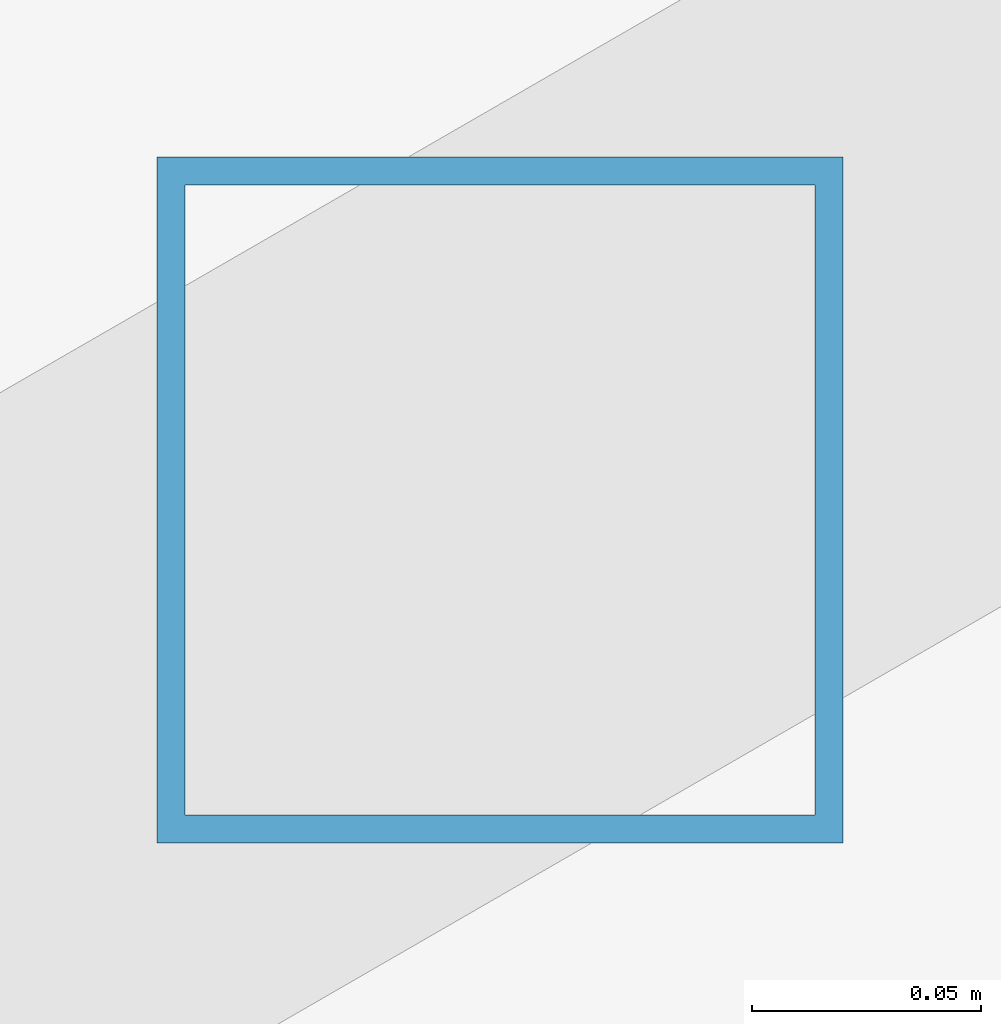
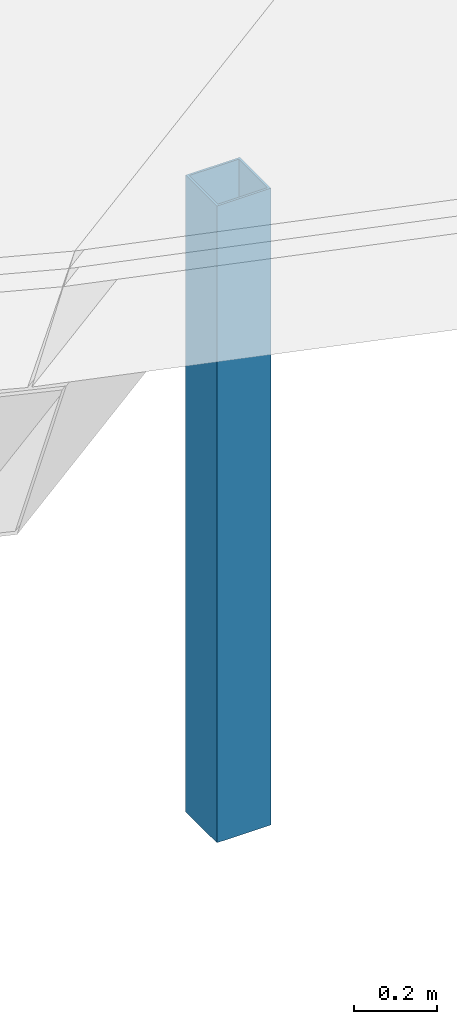
# One storey, part 118 of 200: 1 member.
"""IFC4 building model written with IfcOpenShell, lengths in metres."""

from ifc_helpers import new_model, si_unit, direction, frame, origin, origin_2d, place, context, subcontext, project, spatial, hollow_rectangle, extrude, material, material_profile, profile_set, type_object, element, save


model = new_model("IFC4")

# Units and contexts
model_context = context("Model", 3, precision=1e-05, world=origin(), true_north=direction((0.0, 1.0)))
body_context = subcontext(model_context, "Body", "Model", "MODEL_VIEW")
ifc_project = project(units=[si_unit("LENGTHUNIT", "METRE"), si_unit("AREAUNIT", "SQUARE_METRE"), si_unit("VOLUMEUNIT", "CUBIC_METRE"), si_unit("PLANEANGLEUNIT", "RADIAN"), si_unit("MASSUNIT", "GRAM", prefix="KILO")], contexts=[model_context])

# Site, building, storey
site_placement = place(None, origin())
site = spatial("IfcSite", under=ifc_project, at=site_placement, CompositionType="ELEMENT")
building_placement = place(site_placement, origin())
building = spatial("IfcBuilding", under=site, at=building_placement, Name="Vondelvale Polytechnic", CompositionType="ELEMENT")
storey_placement = place(building_placement, frame((0.0, 0.0, 13.800048828125)))
storey = spatial("IfcBuildingStorey", under=building, at=storey_placement, Name="L03", CompositionType="ELEMENT", Elevation=13.800048828125)

# Member
ifc_material = material(Name="Steel C350L0 (fy = 350 MPa)", Category="steel")
ifc_material_profile = material_profile(ifc_material, hollow_rectangle(XDim=0.14990234375, YDim=0.14990234375, WallThickness=0.006103515625, at=origin_2d()), Name="150x150x6.0SHS")
ifc_profile_set = profile_set([ifc_material_profile], Name="Steel C350L0 (fy = 350 MPa)")
member_type = type_object("IfcMemberType", Name="ROOF TRUSS POST 150SHS", PredefinedType="POST", material=ifc_profile_set)
member_placement = place(storey_placement, frame((134.04296875, 90.5, 0.0), z_axis=(0.0, 0.0, 1.0), x_axis=(1.0, 0.0, 0.0)))
element("IfcMember", 1, at=member_placement, inside=storey, type_object=member_type, Name="Ring mid roof post 02", PredefinedType="POST", context=body_context, shape_type="SweptSolid", body=[
    extrude(hollow_rectangle(XDim=0.14990234375, YDim=0.14990234375, WallThickness=0.006103515625, at=origin_2d()), origin(), (0.0, 0.0, 1.0), 1.86572265625),
])

save(model, "model.ifc")
